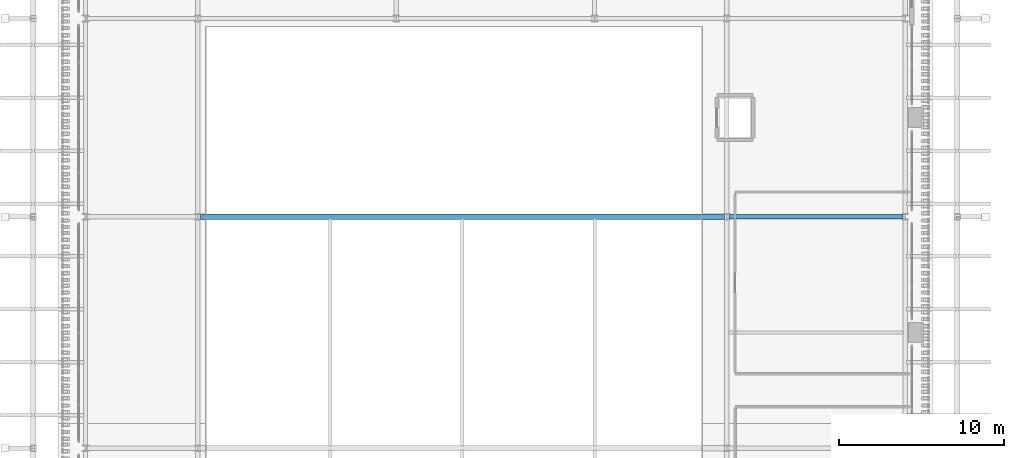
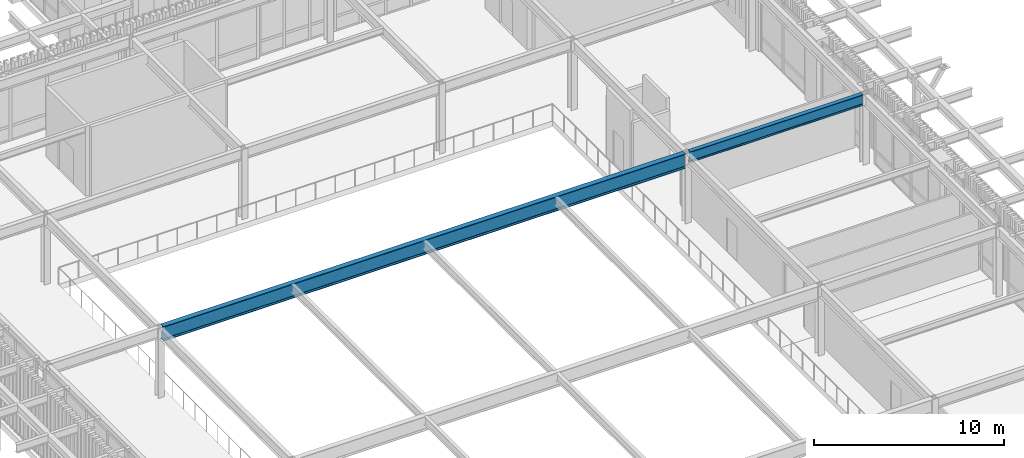
# One storey, part 53 of 126: 2 beams.
"""IFC4 building model written with IfcOpenShell, lengths in metres."""

from ifc_helpers import new_model, si_unit, derived_unit, direction, frame, origin, origin_2d, place, context, subcontext, project, spatial, i_section, extrude, material, material_profile, profile_set, type_object, element, save


model = new_model("IFC4")

# Units and contexts
model_context = context("Model", 3, precision=1e-05, world=origin(), true_north=direction((0.0, 1.0)))
body_context = subcontext(model_context, "Body", "Model", "MODEL_VIEW")
ifc_project = project(units=[si_unit("LENGTHUNIT", "METRE"), si_unit("AREAUNIT", "SQUARE_METRE"), si_unit("VOLUMEUNIT", "CUBIC_METRE"), si_unit("PLANEANGLEUNIT", "RADIAN"), si_unit("MASSUNIT", "GRAM", prefix="KILO"), derived_unit("THERMALTRANSMITTANCEUNIT", [(si_unit("MASSUNIT", "GRAM", prefix="KILO"), 1), (si_unit("TIMEUNIT", "SECOND"), -3), (si_unit("THERMODYNAMICTEMPERATUREUNIT", "KELVIN"), -1)])], contexts=[model_context])

# Site, building, storey
site_placement = place(None, origin())
site = spatial("IfcSite", under=ifc_project, at=site_placement, CompositionType="ELEMENT")
building_placement = place(site_placement, origin())
building = spatial("IfcBuilding", under=site, at=building_placement, Name="Valcora Ridge Arena", CompositionType="ELEMENT")
storey_placement = place(building_placement, frame((0.0, 0.0, 11.39990234375)))
storey = spatial("IfcBuildingStorey", under=building, at=storey_placement, Name="L02", CompositionType="ELEMENT", Elevation=11.39990234375)

# Beams
ifc_material = material(Name="Steel ASTM A572 Grade 50", Category="steel")
ifc_material_profile_1 = material_profile(ifc_material, i_section(OverallWidth=0.31005859375, OverallDepth=0.931884765625, WebThickness=0.02099609375, FlangeThickness=0.034423828125, FilletRadius=0.02392578125, at=origin_2d()), Name="W36X210")
ifc_profile_set_1 = profile_set([ifc_material_profile_1], Name="Steel ASTM A572 Grade 50")
beam_type_1 = type_object("IfcBeamType", Name="TY-BEAM-G-CRT-W36X210", PredefinedType="BEAM", material=ifc_profile_set_1)
beam_1_placement = place(storey_placement, frame((144.139892578125, 54.0, 4.01416015625), z_axis=(1.0, 0.0, 0.0), x_axis=(0.0, 1.0, 0.0)))
element("IfcBeam", 1, at=beam_1_placement, inside=storey, type_object=beam_type_1, Name="G-CRT-W36X210 BEM-G-CRT-W36X210-0003", PredefinedType="BEAM", context=body_context, shape_type="SweptSolid", body=[
    extrude(i_section(OverallWidth=0.31005859375, OverallDepth=0.931884765625, WebThickness=0.02099609375, FlangeThickness=0.034423828125, FilletRadius=0.02392578125, at=origin_2d()), origin(), (0.0, 0.0, 1.0), 31.72021484375),
])
ifc_material_profile_2 = material_profile(ifc_material, i_section(OverallWidth=0.256103515625, OverallDepth=0.693115234375, WebThickness=0.014404296875, FlangeThickness=0.023681640625, FilletRadius=0.02001953125, at=origin_2d()), Name="W27X114")
ifc_profile_set_2 = profile_set([ifc_material_profile_2], Name="Steel ASTM A572 Grade 50")
beam_type_2 = type_object("IfcBeamType", Name="TY-BEAM-G-W27X114-X", PredefinedType="BEAM", material=ifc_profile_set_2)
beam_2_placement = place(storey_placement, frame((176.139892578125, 54.0, 4.133544921875), z_axis=(1.0, 0.0, 0.0), x_axis=(0.0, 1.0, 0.0)))
element("IfcBeam", 2, at=beam_2_placement, inside=storey, type_object=beam_type_2, Name="G-W27X114-X BEM-G-W27X114-X-0046", PredefinedType="BEAM", context=body_context, shape_type="SweptSolid", body=[
    extrude(i_section(OverallWidth=0.256103515625, OverallDepth=0.693115234375, WebThickness=0.014404296875, FlangeThickness=0.023681640625, FilletRadius=0.02001953125, at=origin_2d()), origin(), (0.0, 0.0, 1.0), 10.52001953125),
])

save(model, "model.ifc")
